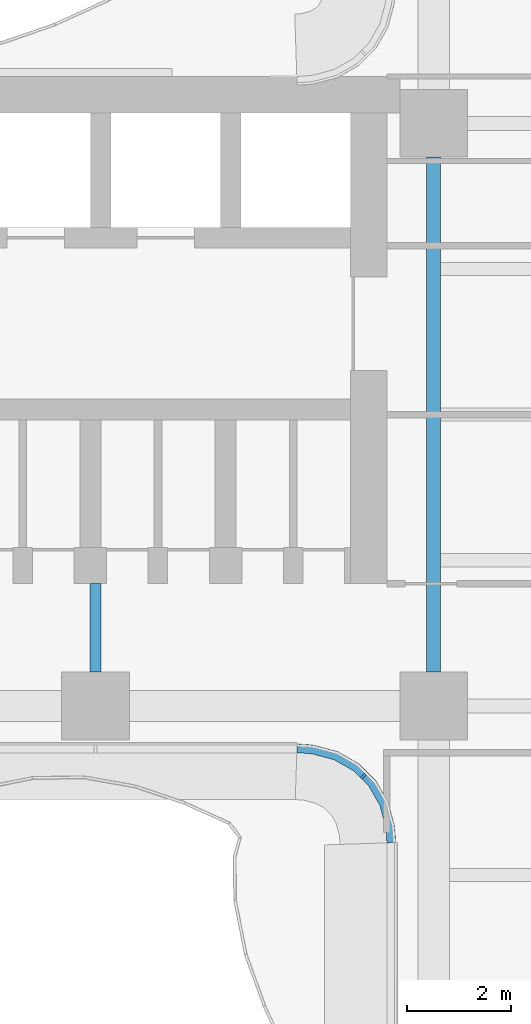
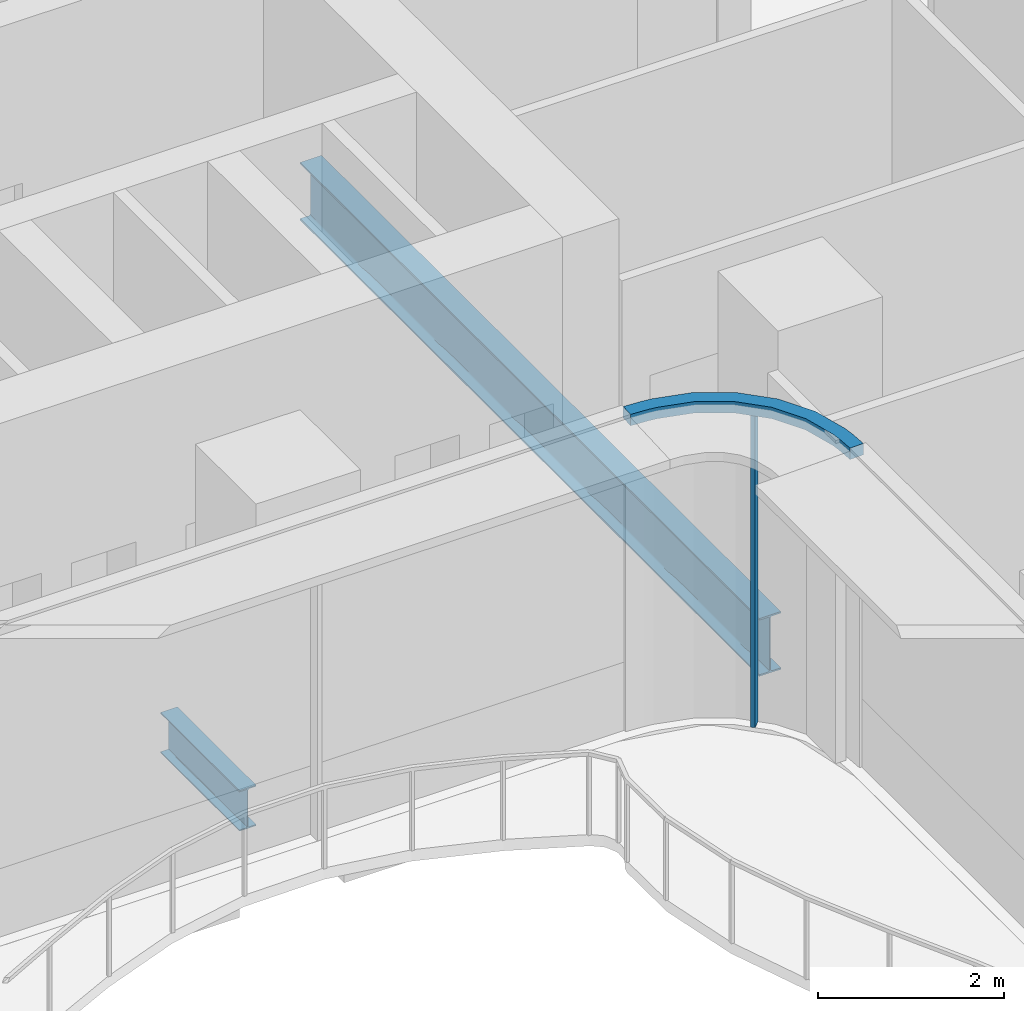
# One storey, part 4 of 23: 2 beams, 2 members, 1 element without a shape of its own.
"""IFC4 building model written with IfcOpenShell, lengths in metres."""

import ifcopenshell
import ifcopenshell.guid

model = None  # the IFC model being written
_history = None  # IfcOwnerHistory: only IFC2X3 demands one
_inside = {}  # id of a spatial element -> (the spatial element, [elements in it])
_under = {}  # id of a project, library or spatial element -> (it, [spatial elements below it])
_declared = {}  # id of a project -> (the project, [libraries it declares])
_typed = {}  # id of a type object -> (the type object, [elements of that type])
_made_of = {}  # id of a material, layer set ... -> (it, [elements and type objects made of it])


def new_model(schema):
    """Start an empty IFC model of exactly this schema.

    Asked for "IFC4X3", IfcOpenShell would pick the latest addendum, in which some entities
    have other attributes; the version numbers below select the first issue.
    IFC2X3 requires an IfcOwnerHistory on every rooted entity: one is made here for all.
    """
    global model, _history
    if schema == "IFC4X3":
        model = ifcopenshell.file(schema_version=(4, 3, 0, 0))
    else:
        model = ifcopenshell.file(schema=schema)
    _inside.clear()
    _under.clear()
    _declared.clear()
    _typed.clear()
    _made_of.clear()
    _history = None
    if model.schema == "IFC2X3":
        org = make("IfcOrganization", Name="unknown")
        user = make(
            "IfcPersonAndOrganization",
            ThePerson=make("IfcPerson", FamilyName="unknown"),
            TheOrganization=org,
        )
        app = make(
            "IfcApplication",
            ApplicationDeveloper=org,
            Version="unknown",
            ApplicationFullName="unknown",
            ApplicationIdentifier="unknown",
        )
        _history = make(
            "IfcOwnerHistory",
            OwningUser=user,
            OwningApplication=app,
            ChangeAction="ADDED",
            CreationDate=0,
        )
    return model


def make(cls, **values):
    """One entity of the class cls with the attributes given. An attribute that is None is left unset."""
    return model.create_entity(
        cls, **{name: value for name, value in values.items() if value is not None}
    )


def rooted(cls, **values):
    """An entity with a GlobalId (a new one), such as an element, a storey or a relation."""
    return make(cls, GlobalId=ifcopenshell.guid.new(), OwnerHistory=_history, **values)


def si_unit(unit_type, name, prefix=None):
    """IfcSIUnit, for example si_unit("LENGTHUNIT", "METRE", prefix="MILLI")."""
    return make("IfcSIUnit", UnitType=unit_type, Prefix=prefix, Name=name)


def assignment(units):
    """IfcUnitAssignment: the units of a project."""
    return None if units is None else make("IfcUnitAssignment", Units=units)


def point(xyz):
    """IfcCartesianPoint."""
    return None if xyz is None else make("IfcCartesianPoint", Coordinates=xyz)


def direction(xyz):
    """IfcDirection."""
    return None if xyz is None else make("IfcDirection", DirectionRatios=xyz)


def frame(location, z_axis=None, x_axis=None):
    """IfcAxis2Placement3D, a coordinate frame: its origin and axes. An axis left out is left unset."""
    return make(
        "IfcAxis2Placement3D",
        Location=point(location),
        Axis=direction(z_axis),
        RefDirection=direction(x_axis),
    )


def frame_2d(location, x_axis=None):
    """IfcAxis2Placement2D, a coordinate frame in the plane: its origin and x axis."""
    return make(
        "IfcAxis2Placement2D", Location=point(location), RefDirection=direction(x_axis)
    )


def origin():
    """The frame at (0, 0, 0) with its axes left unset."""
    return frame((0.0, 0.0, 0.0))


def origin_2d():
    """The frame at (0, 0) in the plane with its x axis left unset."""
    return frame_2d((0.0, 0.0))


def place(relative_to, where):
    """IfcLocalPlacement: puts the frame where relative to a parent placement (None: the world)."""
    return make(
        "IfcLocalPlacement", PlacementRelTo=relative_to, RelativePlacement=where
    )


def context(
    kind, dimensions, precision=None, world=None, true_north=None, identifier=None
):
    """IfcGeometricRepresentationContext, for example the 3D "Model" context."""
    return make(
        "IfcGeometricRepresentationContext",
        ContextIdentifier=identifier,
        ContextType=kind,
        CoordinateSpaceDimension=dimensions,
        Precision=precision,
        WorldCoordinateSystem=world,
        TrueNorth=true_north,
    )


def subcontext(parent, identifier, kind, view, scale=None):
    """IfcGeometricRepresentationSubContext, for example "Body" below "Model"."""
    return make(
        "IfcGeometricRepresentationSubContext",
        ContextIdentifier=identifier,
        ContextType=kind,
        ParentContext=parent,
        TargetScale=scale,
        TargetView=view,
    )


def project(units=None, contexts=None):
    """IfcProject with its units and contexts."""
    return rooted(
        "IfcProject",
        Name="project",
        RepresentationContexts=contexts,
        UnitsInContext=assignment(units),
    )


def spatial(cls, under=None, at=None, **own):
    """A site, building, storey or space (cls), placed at a placement, below another one or the project."""
    s = rooted(cls, ObjectPlacement=at, **own)
    if under is not None:
        _under.setdefault(under.id(), (under, []))[1].append(s)
    return s


def polyline(points):
    """IfcPolyline through the points."""
    return make("IfcPolyline", Points=[point(p) for p in points])


def profile(cls, at=None, kind="AREA", **sizes):
    """A parametric profile (cls). Its sizes go by their IFC names, for example OverallWidth=200.0."""
    return make(cls, ProfileType=kind, Position=at, **sizes)


def rectangle(**sizes):
    """IfcRectangleProfileDef."""
    return profile("IfcRectangleProfileDef", **sizes)


def i_section(**sizes):
    """IfcIShapeProfileDef."""
    return profile("IfcIShapeProfileDef", **sizes)


def outline(outer, holes=None, kind="AREA"):
    """IfcArbitraryClosedProfileDef: a profile drawn as a closed curve; with holes, ...WithVoids."""
    if holes is None:
        return make("IfcArbitraryClosedProfileDef", ProfileType=kind, OuterCurve=outer)
    return make(
        "IfcArbitraryProfileDefWithVoids",
        ProfileType=kind,
        OuterCurve=outer,
        InnerCurves=holes,
    )


def extrude(swept, where, along, depth):
    """IfcExtrudedAreaSolid: the profile swept, set in the frame where, extruded along a direction by depth."""
    return make(
        "IfcExtrudedAreaSolid",
        SweptArea=swept,
        Position=where,
        ExtrudedDirection=direction(along),
        Depth=depth,
    )


def shape(context_of_items, identifier, shape_type, items):
    """IfcShapeRepresentation: the items that make up one representation, for example the "Body"."""
    return make(
        "IfcShapeRepresentation",
        ContextOfItems=context_of_items,
        RepresentationIdentifier=identifier,
        RepresentationType=shape_type,
        Items=items,
    )


def source(mapping_origin, context_of_items, identifier, shape_type, items):
    """IfcRepresentationMap: a shape defined once, which mapped items show again and again."""
    return make(
        "IfcRepresentationMap",
        MappingOrigin=mapping_origin,
        MappedRepresentation=shape(context_of_items, identifier, shape_type, items),
    )


def transform(
    local_origin,
    x_axis=None,
    y_axis=None,
    z_axis=None,
    scale=None,
    scale2=None,
    scale3=None,
    uniform=True,
):
    """IfcCartesianTransformationOperator3D, or its non-uniform kind. x_axis, y_axis, z_axis: its Axis1, 2, 3."""
    if uniform:
        return make(
            "IfcCartesianTransformationOperator3D",
            Axis1=direction(x_axis),
            Axis2=direction(y_axis),
            LocalOrigin=point(local_origin),
            Scale=scale,
            Axis3=direction(z_axis),
        )
    return make(
        "IfcCartesianTransformationOperator3DnonUniform",
        Axis1=direction(x_axis),
        Axis2=direction(y_axis),
        LocalOrigin=point(local_origin),
        Scale=scale,
        Axis3=direction(z_axis),
        Scale2=scale2,
        Scale3=scale3,
    )


def mapped(mapping_source, mapping_target):
    """IfcMappedItem: shows the shape of a source again, moved by a transform."""
    return make(
        "IfcMappedItem", MappingSource=mapping_source, MappingTarget=mapping_target
    )


def material(Name=None, Category=None):
    """IfcMaterial."""
    return make("IfcMaterial", Name=Name, Category=Category)


def layer(
    of_material, thickness, ventilated=None, Name=None, Category=None, Priority=None
):
    """IfcMaterialLayer: one layer of a wall or slab, of a material (None: an air gap)."""
    return make(
        "IfcMaterialLayer",
        Material=of_material,
        LayerThickness=thickness,
        IsVentilated=ventilated,
        Name=Name,
        Category=Category,
        Priority=Priority,
    )


def layer_set(layers, Name=None):
    """IfcMaterialLayerSet."""
    return make("IfcMaterialLayerSet", MaterialLayers=layers, LayerSetName=Name)


def material_profile(
    of_material, cross_section, Name=None, Category=None, Priority=None
):
    """IfcMaterialProfile: a cross section and its material."""
    return make(
        "IfcMaterialProfile",
        Name=Name,
        Material=of_material,
        Profile=cross_section,
        Priority=Priority,
        Category=Category,
    )


def profile_set(profiles, Name=None, composite=None):
    """IfcMaterialProfileSet."""
    return make(
        "IfcMaterialProfileSet",
        Name=Name,
        MaterialProfiles=profiles,
        CompositeProfile=composite,
    )


def made_of(thing, what):
    """Note that an element or type object is made of a material, layer set ...; save() writes the relation."""
    if what is not None:
        _made_of.setdefault(what.id(), (what, []))[1].append(thing)
    return thing


def type_object(cls, material=None, **own):
    """A type object (cls), such as IfcWallType, which elements share."""
    return made_of(rooted(cls, **own), material)


def element(
    cls,
    number,
    at=None,
    inside=None,
    cuts=None,
    type_object=None,
    material=None,
    context=None,
    identifier="Body",
    shape_type=None,
    held_by="IfcProductDefinitionShape",
    body=None,
    shapes=None,
    **own,
):
    """One element of the class cls, such as IfcWall. Its Tag is "e" and its number.

    at: its placement. inside: the storey or other place that contains it. cuts: it is an
    opening in that element (IfcRelVoidsElement). A single representation is given by context,
    identifier, shape_type and body (its items); several are given by shapes. held_by: the class
    of the entity that holds the representations. save() writes the other relations.
    """
    e = rooted(cls, Tag="e%d" % number, ObjectPlacement=at, **own)
    if body is not None:
        shapes = [shape(context, identifier, shape_type, body)]
    if shapes is not None:
        e.Representation = make(held_by, Representations=shapes)
    if inside is not None:
        _inside.setdefault(inside.id(), (inside, []))[1].append(e)
    if cuts is not None:
        rooted(
            "IfcRelVoidsElement", RelatingBuildingElement=cuts, RelatedOpeningElement=e
        )
    if type_object is not None:
        _typed.setdefault(type_object.id(), (type_object, []))[1].append(e)
    return made_of(e, material)


def aggregate(whole, parts):
    """IfcRelAggregates: a whole, such as a stair, and the parts it consists of."""
    return rooted("IfcRelAggregates", RelatingObject=whole, RelatedObjects=parts)


def save(model, path):
    """Write the relations noted so far, then the file.

    IfcRelAggregates (storeys below a building ...), IfcRelContainedInSpatialStructure (elements
    in a storey), IfcRelDefinesByType, IfcRelAssociatesMaterial and IfcRelDeclares: one each for
    every whole, place, type object, material and project.
    """
    for whole, parts in _under.values():
        aggregate(whole, parts)
    for where, things in _inside.values():
        rooted(
            "IfcRelContainedInSpatialStructure",
            RelatedElements=things,
            RelatingStructure=where,
        )
    for kind, things in _typed.values():
        rooted("IfcRelDefinesByType", RelatedObjects=things, RelatingType=kind)
    for what, things in _made_of.values():
        rooted("IfcRelAssociatesMaterial", RelatedObjects=things, RelatingMaterial=what)
    for by, libraries in _declared.values():
        rooted("IfcRelDeclares", RelatingContext=by, RelatedDefinitions=libraries)
    model.write(path)


model = new_model("IFC4")

# Units and contexts
model_context = context("Model", 3, precision=1e-05, world=origin(), true_north=direction((0.0, 1.0)))
body_context = subcontext(model_context, "Body", "Model", "MODEL_VIEW")
ifc_project = project(units=[si_unit("LENGTHUNIT", "METRE"), si_unit("AREAUNIT", "SQUARE_METRE"), si_unit("VOLUMEUNIT", "CUBIC_METRE"), si_unit("PLANEANGLEUNIT", "RADIAN"), si_unit("MASSUNIT", "GRAM", prefix="KILO")], contexts=[model_context])

# Site, building, storey
site_placement = place(None, origin())
site = spatial("IfcSite", under=ifc_project, at=site_placement, CompositionType="ELEMENT")
building_placement = place(site_placement, origin())
building = spatial("IfcBuilding", under=site, at=building_placement, Name="Trellis Farm Tower", CompositionType="ELEMENT")
storey_placement = place(building_placement, frame((0.0, 0.0, 120.0)))
storey = spatial("IfcBuildingStorey", under=building, at=storey_placement, Name="L25", CompositionType="ELEMENT", Elevation=120.0)

# Beams
ifc_material_1 = material(Name="Steel S355", Category="steel")
ifc_material_profile_1 = material_profile(ifc_material_1, i_section(OverallWidth=0.2666015625, OverallDepth=0.76220703125, WebThickness=0.014404296875, FlangeThickness=0.021484375, FilletRadius=0.0166015625, at=origin_2d()), Name="UB 762x267x173")
ifc_profile_set_1 = profile_set([ifc_material_profile_1], Name="Steel S355")
beam_type_1 = type_object("IfcBeamType", Name="UB 762x267x173", PredefinedType="BEAM", material=ifc_profile_set_1)
shared_shape_1 = source(origin(), body_context, "Body", "SweptSolid", [
    extrude(i_section(OverallWidth=0.2666015625, OverallDepth=0.76220703125, WebThickness=0.014404296875, FlangeThickness=0.021484375, FilletRadius=0.0166015625, at=origin_2d()), origin(), (0.0, 0.0, 1.0), 9.89990234375),
])
beam_1_placement = place(storey_placement, frame((-5.60009765625, -4.949951171875, -0.631103515625), z_axis=(0.0, 1.0, 0.0), x_axis=(-1.0, 0.0, 0.0)))
element("IfcBeam", 1, at=beam_1_placement, inside=storey, type_object=beam_type_1, Name="Girder", PredefinedType="BEAM", context=body_context, shape_type="MappedRepresentation", body=[
    mapped(shared_shape_1, transform((0.0, 0.0, 0.0))),
])
ifc_material_profile_2 = material_profile(ifc_material_1, i_section(OverallWidth=0.209228515625, OverallDepth=0.533203125, WebThickness=0.010009765625, FlangeThickness=0.015625, FilletRadius=0.0126953125, at=origin_2d()), Name="UB 533x210x92")
ifc_profile_set_2 = profile_set([ifc_material_profile_2], Name="Steel S355")
beam_type_2 = type_object("IfcBeamType", Name="UB 533x210x92", PredefinedType="BEAM", material=ifc_profile_set_2)
shared_shape_2 = source(origin(), body_context, "Body", "SweptSolid", [
    extrude(i_section(OverallWidth=0.209228515625, OverallDepth=0.533203125, WebThickness=0.010009765625, FlangeThickness=0.015625, FilletRadius=0.0126953125, at=origin_2d()), origin(), (0.0, 0.0, 1.0), 1.699951171875),
])
beam_2_placement = place(storey_placement, frame((-12.10009765625, -4.949951171875, -0.5166015625), z_axis=(0.0, 1.0, 0.0), x_axis=(-1.0, 0.0, 0.0)))
element("IfcBeam", 2, at=beam_2_placement, inside=storey, type_object=beam_type_2, Name="Girder", PredefinedType="BEAM", context=body_context, shape_type="MappedRepresentation", body=[
    mapped(shared_shape_2, transform((0.0, 0.0, 0.0))),
])

# Curtain wall, members
ifc_material_2 = material(Name="Aluminium and glass curtain wall", Category="aluminium")
ifc_layer_1 = layer(ifc_material_2, 0.166015625)
ifc_layer_set_1 = layer_set([ifc_layer_1], Name="WINTER GARDEN CURTAIN WALL CW3")
curtain_wall_type = type_object("IfcCurtainWallType", Name="WINTER GARDEN CURTAIN WALL CW3", PredefinedType="NOTDEFINED", material=ifc_layer_set_1)
curtain_wall_placement = place(storey_placement, origin())
curtain_wall = element("IfcCurtainWall", 3, at=curtain_wall_placement, inside=storey, type_object=curtain_wall_type, Name="CW3 001", PredefinedType="NOTDEFINED")
ifc_material_3 = material(Name="Aluminium extrusion 6063-T6", Category="aluminium")
ifc_material_profile_3 = material_profile(ifc_material_3, rectangle(XDim=0.050048828125, YDim=0.1201171875, at=origin_2d()), Name="MULLION 50x120")
ifc_profile_set_3 = profile_set([ifc_material_profile_3], Name="Aluminium extrusion 6063-T6")
member_type_1 = type_object("IfcMemberType", Name="CW3 MULLION 50x120", PredefinedType="MULLION", material=ifc_profile_set_3)
shared_shape_3 = source(origin(), body_context, "Body", "SweptSolid", [
    extrude(rectangle(XDim=0.050048828125, YDim=0.1201171875, at=origin_2d()), origin(), (0.0, 0.0, 1.0), 4.10009765625),
])
member_1_placement = place(storey_placement, frame((-6.953125, -6.953125, 0.0), z_axis=(0.0, 0.0, 1.0), x_axis=(0.707106781187, -0.707106781187, 0.0)))
member_1 = element("IfcMember", 4, at=member_1_placement, type_object=member_type_1, Name="MU3 001-01", PredefinedType="MULLION", context=body_context, shape_type="MappedRepresentation", body=[
    mapped(shared_shape_3, transform((0.0, 0.0, 0.0))),
])
ifc_layer_2 = layer(ifc_material_3, 0.169921875)
ifc_layer_set_2 = layer_set([ifc_layer_2], Name="Aluminium extrusion 6063-T6")
member_type_2 = type_object("IfcMemberType", Name="CW3 TRANSOM 170x150", PredefinedType="USERDEFINED", material=ifc_layer_set_2)
shared_shape_4 = source(origin(), body_context, "Body", "SweptSolid", [
    extrude(outline(polyline([(-8.2314453125, -6.5), (-8.01953125, -6.513916015625), (-7.91552734375, -6.527587890625), (-7.508544921875, -6.63671875), (-7.144287109375, -6.846923828125), (-6.846923828125, -7.144287109375), (-6.63671875, -7.508544921875), (-6.527587890625, -7.91552734375), (-6.513916015625, -8.01953125), (-6.5, -8.2314453125), (-6.330078125, -8.225830078125), (-6.3447265625, -8.0029296875), (-6.360595703125, -7.88232421875), (-6.478271484375, -7.44287109375), (-6.7109375, -7.0400390625), (-7.0400390625, -6.7109375), (-7.44287109375, -6.478271484375), (-7.88232421875, -6.360595703125), (-8.0029296875, -6.3447265625), (-8.225830078125, -6.330078125), (-8.2314453125, -6.5)])), origin(), (0.0, 0.0, 1.0), 0.14990234375),
])
member_2_placement = place(storey_placement, frame((0.0, 0.0, 4.10009765625)))
member_2 = element("IfcMember", 5, at=member_2_placement, type_object=member_type_2, Name="TR3 001", ObjectType="TRANSOM", PredefinedType="USERDEFINED", context=body_context, shape_type="MappedRepresentation", body=[
    mapped(shared_shape_4, transform((0.0, 0.0, 0.0))),
])
aggregate(curtain_wall, [member_1, member_2])

save(model, "model.ifc")
